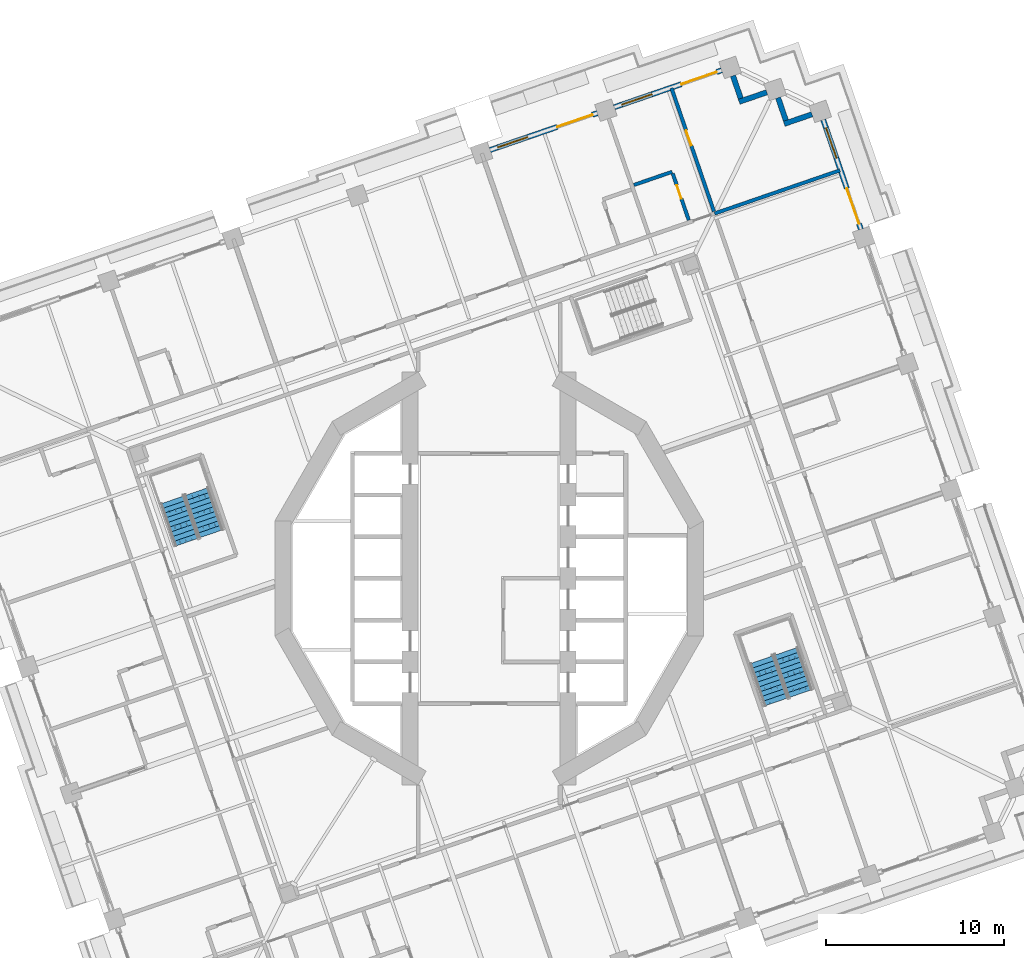
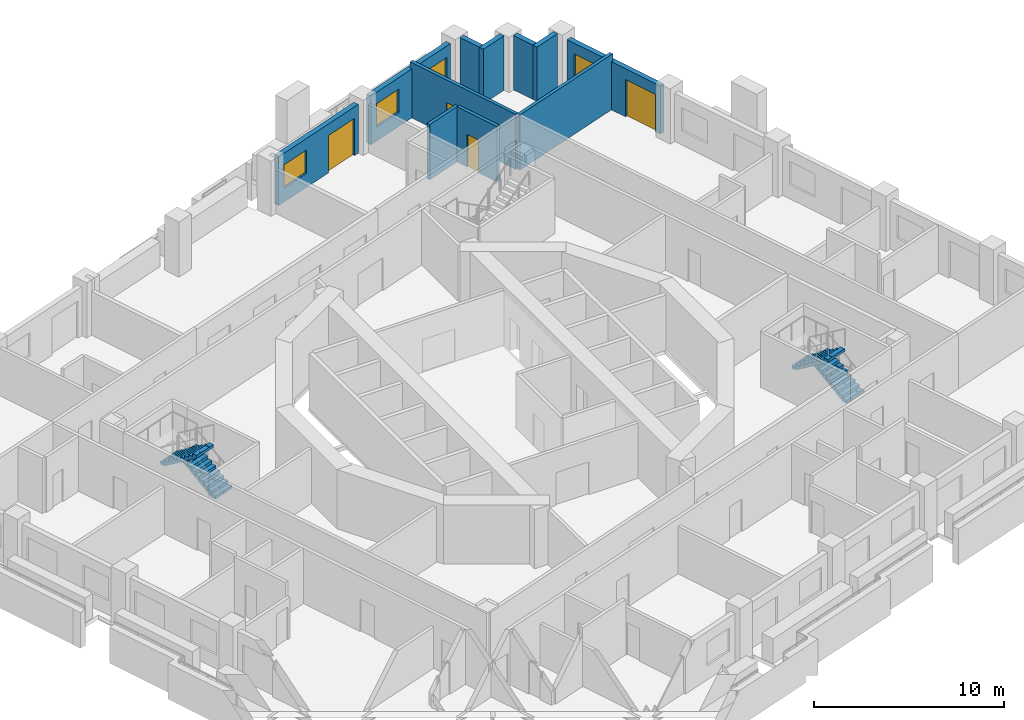
# One storey, part 10 of 18: 11 walls, 5 doors, 4 stair flights, 3 windows, 8 openings, 2 elements without a shape of their own.
"""IFC4 building model written with IfcOpenShell, lengths in metres."""

from ifc_helpers import new_model, si_unit, direction, frame, frame_2d, origin, place, context, subcontext, project, spatial, polyline, rectangle, outline, extrude, material, layer, layer_set, type_object, element, fill, aggregate, save


model = new_model("IFC4")

# Units and contexts
model_context = context("Model", 3, precision=1e-05, world=origin(), true_north=direction((0.0, 1.0)))
body_context = subcontext(model_context, "Body", "Model", "MODEL_VIEW")
ifc_project = project(units=[si_unit("LENGTHUNIT", "METRE"), si_unit("AREAUNIT", "SQUARE_METRE"), si_unit("VOLUMEUNIT", "CUBIC_METRE"), si_unit("PLANEANGLEUNIT", "RADIAN"), si_unit("MASSUNIT", "GRAM", prefix="KILO")], contexts=[model_context])

# Site, building, storey
site_placement = place(None, origin())
site = spatial("IfcSite", under=ifc_project, at=site_placement, CompositionType="ELEMENT")
building_placement = place(site_placement, origin())
building = spatial("IfcBuilding", under=site, at=building_placement, Name="Cantera Rosa Tower", CompositionType="ELEMENT")
storey_placement = place(building_placement, frame((0.0, 0.0, 134.5)))
storey = spatial("IfcBuildingStorey", under=building, at=storey_placement, Name="L28", CompositionType="ELEMENT", Elevation=134.5)

# Walls
ifc_material_1 = material(Name="Hollow clay masonry with cantera stone cladding", Category="masonry")
ifc_layer_1 = layer(ifc_material_1, 0.300048828125)
ifc_layer_set_1 = layer_set([ifc_layer_1], Name="EW-LOGGIA 300")
wall_type_1 = type_object("IfcWallType", Name="EW-LOGGIA 300", PredefinedType="SOLIDWALL", material=ifc_layer_set_1)
wall_1_placement = place(storey_placement, frame((18.17919921875, 26.142822265625, 0.0), z_axis=(0.0, 0.0, 1.0), x_axis=(-0.945530119553, -0.32553462645, 0.0)))
element("IfcWall", 1, at=wall_1_placement, inside=storey, type_object=wall_type_1, Name="EN-L28-W06a", PredefinedType="SOLIDWALL", context=body_context, shape_type="SweptSolid", body=[
    extrude(rectangle(XDim=1.64990234375, YDim=0.300048828125, at=frame_2d((0.824951171875, 0.0))), origin(), (0.0, 0.0, 1.0), 3.5),
])
wall_2_placement = place(storey_placement, frame((16.7119140625, 25.79638671875, 0.0), z_axis=(0.0, 0.0, 1.0), x_axis=(-0.325544748006, 0.945526634763, 0.0)))
element("IfcWall", 2, at=wall_2_placement, inside=storey, type_object=wall_type_1, Name="EN-L28-W06b", PredefinedType="SOLIDWALL", context=body_context, shape_type="SweptSolid", body=[
    extrude(rectangle(XDim=1.349853515625, YDim=0.300048828125, at=frame_2d((0.6748046875, 0.0))), origin(), (0.0, 0.0, 1.0), 3.5),
])
wall_3_placement = place(storey_placement, frame((15.636962890625, 27.3828125, 0.0), z_axis=(0.0, 0.0, 1.0), x_axis=(-0.945484566827, -0.325666906351, 0.0)))
element("IfcWall", 3, at=wall_3_placement, inside=storey, type_object=wall_type_1, Name="EN-L28-W07a", PredefinedType="SOLIDWALL", context=body_context, shape_type="SweptSolid", body=[
    extrude(rectangle(XDim=1.64990234375, YDim=0.300048828125, at=frame_2d((0.824951171875, 0.0))), origin(), (0.0, 0.0, 1.0), 3.5),
])
wall_4_placement = place(storey_placement, frame((14.169921875, 27.0361328125, 0.0), z_axis=(0.0, 0.0, 1.0), x_axis=(-0.325650742363, 0.945490134268, 0.0)))
element("IfcWall", 4, at=wall_4_placement, inside=storey, type_object=wall_type_1, Name="EN-L28-W07b", PredefinedType="SOLIDWALL", context=body_context, shape_type="SweptSolid", body=[
    extrude(rectangle(XDim=1.35009765625, YDim=0.300048828125, at=frame_2d((0.675048828125, 0.0))), origin(), (0.0, 0.0, 1.0), 3.5),
])

# Wall, openings, window, door
ifc_material_2 = material(Name="Hollow clay masonry with cantera stone cladding", Category="masonry")
ifc_layer_2 = layer(ifc_material_2, 0.300048828125)
ifc_layer_set_2 = layer_set([ifc_layer_2], Name="EW-LOGGIA 300 H3090")
wall_type_2 = type_object("IfcWallType", Name="EW-LOGGIA 300 H3090", PredefinedType="SOLIDWALL", material=ifc_layer_set_2)
wall_5_placement = place(storey_placement, frame((20.9375, 19.668212890625, 0.0), z_axis=(0.0, 0.0, 1.0), x_axis=(-0.325592517631, 0.945510186335, 0.0)))
wall_5 = element("IfcWall", 5, at=wall_5_placement, inside=storey, type_object=wall_type_2, Name="EN-L28-W05", PredefinedType="SOLIDWALL", context=body_context, shape_type="SweptSolid", body=[
    extrude(rectangle(XDim=6.519775390625, YDim=0.300048828125, at=frame_2d((3.259765625, 0.0))), origin(), (0.0, 0.0, 1.0), 3.090087890625),
])
opening_1_placement = place(wall_5_placement, frame((0.330078125, 0.0, 0.0)))
opening_1 = element("IfcOpeningElement", 6, at=opening_1_placement, cuts=wall_5, Name="Opening L28-TD09", PredefinedType="OPENING", context=body_context, shape_type="SweptSolid", body=[
    extrude(rectangle(XDim=2.10009765625, YDim=2.39990234375, at=frame_2d((1.050048828125, 1.199951171875))), frame((0.0, 0.159912109375, 0.0), z_axis=(0.0, -1.0, 0.0), x_axis=(1.0, 0.0, 0.0)), (0.0, 0.0, 1.0), 0.320068359375),
])
opening_2_placement = place(wall_5_placement, frame((4.239990234375, 0.0, 0.89990234375)))
opening_2 = element("IfcOpeningElement", 7, at=opening_2_placement, cuts=wall_5, Name="Opening L28-W10", PredefinedType="OPENING", context=body_context, shape_type="SweptSolid", body=[
    extrude(rectangle(XDim=1.800048828125, YDim=1.5, at=frame_2d((0.89990234375, 0.75))), frame((0.0, 0.159912109375, 0.0), z_axis=(0.0, -1.0, 0.0), x_axis=(1.0, 0.0, 0.0)), (0.0, 0.0, 1.0), 0.320068359375),
])
ifc_material_3 = material(Name="Aluminium frame with clear glass", Category="aluminium")
window_type = type_object("IfcWindowType", Name="Hotel room window 1800x1500", PartitioningType="DOUBLE_PANEL_VERTICAL", PredefinedType="WINDOW", material=ifc_material_3)
window_1_placement = place(opening_2_placement, origin())
window_1 = element("IfcWindow", 8, at=window_1_placement, inside=storey, type_object=window_type, Name="WINDOW L28-W10", OverallHeight=1.5, OverallWidth=1.800048828125, PartitioningType="SINGLE_PANEL", PredefinedType="WINDOW", context=body_context, shape_type="SweptSolid", body=[
    extrude(rectangle(XDim=1.800048828125, YDim=1.5, at=frame_2d((0.89990234375, 0.75))), frame((0.0, 0.030029296875, 0.0), z_axis=(0.0, -1.0, 0.0), x_axis=(1.0, 0.0, 0.0)), (0.0, 0.0, 1.0), 0.06005859375),
])
fill(opening_2, window_1)
ifc_material_4 = material(Name="Aluminium frame with clear glass", Category="aluminium")
door_type_1 = type_object("IfcDoorType", Name="TD-H 2100x2400", OperationType="NOTDEFINED", PredefinedType="DOOR", material=ifc_material_4)
door_1_placement = place(opening_1_placement, origin())
door_1 = element("IfcDoor", 9, at=door_1_placement, inside=storey, type_object=door_type_1, Name="LOGGIA DOOR L28-TD09", OperationType="SLIDING_TO_LEFT", OverallHeight=2.39990234375, OverallWidth=2.10009765625, PredefinedType="DOOR", context=body_context, shape_type="SweptSolid", body=[
    extrude(rectangle(XDim=2.10009765625, YDim=2.39990234375, at=frame_2d((1.050048828125, 1.199951171875))), frame((0.0, 0.02490234375, 0.0), z_axis=(0.0, -1.0, 0.0), x_axis=(1.0, 0.0, 0.0)), (0.0, 0.0, 1.0), 0.050048828125),
])
fill(opening_1, door_1)

ifc_material_5 = material(Name="Hollow clay masonry with cantera stone cladding", Category="masonry")
ifc_layer_3 = layer(ifc_material_5, 0.300048828125)
ifc_layer_set_3 = layer_set([ifc_layer_3], Name="EW-LOGGIA 300 H3140")
wall_type_3 = type_object("IfcWallType", Name="EW-LOGGIA 300 H3140", PredefinedType="SOLIDWALL", material=ifc_layer_set_3)
wall_6_placement = place(storey_placement, frame((13.0947265625, 28.62255859375, 0.0), z_axis=(0.0, 0.0, 1.0), x_axis=(-0.945524496524, -0.325550958337, 0.0)))
wall_6 = element("IfcWall", 10, at=wall_6_placement, inside=storey, type_object=wall_type_3, Name="EN-L28-W08", PredefinedType="SOLIDWALL", context=body_context, shape_type="SweptSolid", body=[
    extrude(rectangle(XDim=6.39990234375, YDim=0.300048828125, at=frame_2d((3.199951171875, 0.0))), origin(), (0.0, 0.0, 1.0), 3.139892578125),
])
opening_3_placement = place(wall_6_placement, frame((0.300048828125, 0.0, 0.0)))
opening_3 = element("IfcOpeningElement", 11, at=opening_3_placement, cuts=wall_6, Name="Opening L28-TD11", PredefinedType="OPENING", context=body_context, shape_type="SweptSolid", body=[
    extrude(rectangle(XDim=2.10009765625, YDim=2.39990234375, at=frame_2d((1.050048828125, 1.199951171875))), frame((0.0, 0.159912109375, 0.0), z_axis=(0.0, -1.0, 0.0), x_axis=(1.0, 0.0, 0.0)), (0.0, 0.0, 1.0), 0.320068359375),
])
opening_4_placement = place(wall_6_placement, frame((4.14990234375, 0.0, 0.89990234375)))
opening_4 = element("IfcOpeningElement", 12, at=opening_4_placement, cuts=wall_6, Name="Opening L28-W12", PredefinedType="OPENING", context=body_context, shape_type="SweptSolid", body=[
    extrude(rectangle(XDim=1.800048828125, YDim=1.5, at=frame_2d((0.89990234375, 0.75))), frame((0.0, 0.159912109375, 0.0), z_axis=(0.0, -1.0, 0.0), x_axis=(1.0, 0.0, 0.0)), (0.0, 0.0, 1.0), 0.320068359375),
])
window_2_placement = place(opening_4_placement, origin())
window_2 = element("IfcWindow", 13, at=window_2_placement, inside=storey, type_object=window_type, Name="WINDOW L28-W12", OverallHeight=1.5, OverallWidth=1.800048828125, PartitioningType="SINGLE_PANEL", PredefinedType="WINDOW", context=body_context, shape_type="SweptSolid", body=[
    extrude(rectangle(XDim=1.800048828125, YDim=1.5, at=frame_2d((0.89990234375, 0.75))), frame((0.0, 0.030029296875, 0.0), z_axis=(0.0, -1.0, 0.0), x_axis=(1.0, 0.0, 0.0)), (0.0, 0.0, 1.0), 0.06005859375),
])
fill(opening_4, window_2)
door_2_placement = place(opening_3_placement, origin())
door_2 = element("IfcDoor", 14, at=door_2_placement, inside=storey, type_object=door_type_1, Name="LOGGIA DOOR L28-TD11", OperationType="SLIDING_TO_LEFT", OverallHeight=2.39990234375, OverallWidth=2.10009765625, PredefinedType="DOOR", context=body_context, shape_type="SweptSolid", body=[
    extrude(rectangle(XDim=2.10009765625, YDim=2.39990234375, at=frame_2d((1.050048828125, 1.199951171875))), frame((0.0, 0.02490234375, 0.0), z_axis=(0.0, -1.0, 0.0), x_axis=(1.0, 0.0, 0.0)), (0.0, 0.0, 1.0), 0.050048828125),
])
fill(opening_3, door_2)

wall_7_placement = place(storey_placement, frame((6.097900390625, 26.21337890625, 0.0), z_axis=(0.0, 0.0, 1.0), x_axis=(-0.945524496524, -0.325550958337, 0.0)))
wall_7 = element("IfcWall", 15, at=wall_7_placement, inside=storey, type_object=wall_type_3, Name="EN-L28-W09", PredefinedType="SOLIDWALL", context=body_context, shape_type="SweptSolid", body=[
    extrude(rectangle(XDim=6.39990234375, YDim=0.300048828125, at=frame_2d((3.199951171875, 0.0))), origin(), (0.0, 0.0, 1.0), 3.139892578125),
])
opening_5_placement = place(wall_7_placement, frame((0.300048828125, 0.0, 0.0)))
opening_5 = element("IfcOpeningElement", 16, at=opening_5_placement, cuts=wall_7, Name="Opening L28-TD13", PredefinedType="OPENING", context=body_context, shape_type="SweptSolid", body=[
    extrude(rectangle(XDim=2.10009765625, YDim=2.39990234375, at=frame_2d((1.050048828125, 1.199951171875))), frame((0.0, 0.159912109375, 0.0), z_axis=(0.0, -1.0, 0.0), x_axis=(1.0, 0.0, 0.0)), (0.0, 0.0, 1.0), 0.320068359375),
])
opening_6_placement = place(wall_7_placement, frame((4.14990234375, 0.0, 0.89990234375)))
opening_6 = element("IfcOpeningElement", 17, at=opening_6_placement, cuts=wall_7, Name="Opening L28-W14", PredefinedType="OPENING", context=body_context, shape_type="SweptSolid", body=[
    extrude(rectangle(XDim=1.800048828125, YDim=1.5, at=frame_2d((0.89990234375, 0.75))), frame((0.0, 0.159912109375, 0.0), z_axis=(0.0, -1.0, 0.0), x_axis=(1.0, 0.0, 0.0)), (0.0, 0.0, 1.0), 0.320068359375),
])
window_3_placement = place(opening_6_placement, origin())
window_3 = element("IfcWindow", 18, at=window_3_placement, inside=storey, type_object=window_type, Name="WINDOW L28-W14", OverallHeight=1.5, OverallWidth=1.800048828125, PartitioningType="SINGLE_PANEL", PredefinedType="WINDOW", context=body_context, shape_type="SweptSolid", body=[
    extrude(rectangle(XDim=1.800048828125, YDim=1.5, at=frame_2d((0.89990234375, 0.75))), frame((0.0, 0.030029296875, 0.0), z_axis=(0.0, -1.0, 0.0), x_axis=(1.0, 0.0, 0.0)), (0.0, 0.0, 1.0), 0.06005859375),
])
fill(opening_6, window_3)
door_3_placement = place(opening_5_placement, origin())
door_3 = element("IfcDoor", 19, at=door_3_placement, inside=storey, type_object=door_type_1, Name="LOGGIA DOOR L28-TD13", OperationType="SLIDING_TO_LEFT", OverallHeight=2.39990234375, OverallWidth=2.10009765625, PredefinedType="DOOR", context=body_context, shape_type="SweptSolid", body=[
    extrude(rectangle(XDim=2.10009765625, YDim=2.39990234375, at=frame_2d((1.050048828125, 1.199951171875))), frame((0.0, 0.02490234375, 0.0), z_axis=(0.0, -1.0, 0.0), x_axis=(1.0, 0.0, 0.0)), (0.0, 0.0, 1.0), 0.050048828125),
])
fill(opening_5, door_3)

# Wall
ifc_material_6 = material(Name="Gypsum board partition")
ifc_layer_4 = layer(ifc_material_6, 0.199951171875)
ifc_layer_set_4 = layer_set([ifc_layer_4], Name="PARTITION 200 H3550")
wall_type_4 = type_object("IfcWallType", Name="PARTITION 200 H3550", PredefinedType="PARTITIONING", material=ifc_layer_set_4)
wall_8_placement = place(storey_placement, frame((8.149169921875, 22.160400390625, 0.0), z_axis=(0.0, 0.0, 1.0), x_axis=(0.945499219527, 0.325624363146, 0.0)))
element("IfcWall", 20, at=wall_8_placement, inside=storey, type_object=wall_type_4, Name="PARTITION L28-077", PredefinedType="PARTITIONING", context=body_context, shape_type="SweptSolid", body=[
    extrude(rectangle(XDim=2.280029296875, YDim=0.199951171875, at=frame_2d((1.14013671875, 0.0))), origin(), (0.0, 0.0, 1.0), 3.550048828125),
])

# Wall, opening, door
wall_9_placement = place(storey_placement, frame((10.337646484375, 22.80810546875, 0.0), z_axis=(0.0, 0.0, 1.0), x_axis=(0.325565713823, -0.945519415974, 0.0)))
wall_9 = element("IfcWall", 21, at=wall_9_placement, inside=storey, type_object=wall_type_4, Name="PARTITION L28-079", PredefinedType="PARTITIONING", context=body_context, shape_type="SweptSolid", body=[
    extrude(rectangle(XDim=2.77978515625, YDim=0.199951171875, at=frame_2d((1.389892578125, 0.0))), origin(), (0.0, 0.0, 1.0), 3.550048828125),
])
opening_7_placement = place(wall_9_placement, frame((0.699951171875, 0.0, 0.0)))
opening_7 = element("IfcOpeningElement", 22, at=opening_7_placement, cuts=wall_9, Name="Opening L28-027", PredefinedType="OPENING", context=body_context, shape_type="SweptSolid", body=[
    extrude(rectangle(XDim=0.800048828125, YDim=2.10009765625, at=frame_2d((0.39990234375, 1.050048828125))), frame((0.0, 0.10986328125, 0.0), z_axis=(0.0, -1.0, 0.0), x_axis=(1.0, 0.0, 0.0)), (0.0, 0.0, 1.0), 0.219970703125),
])
ifc_material_7 = material(Name="Timber door leaf", Category="wood")
door_type_2 = type_object("IfcDoorType", Name="BATHROOM DOOR 800x2100", OperationType="NOTDEFINED", PredefinedType="DOOR", material=ifc_material_7)
door_4_placement = place(opening_7_placement, origin())
door_4 = element("IfcDoor", 23, at=door_4_placement, inside=storey, type_object=door_type_2, Name="DOOR L28-027", OperationType="NOTDEFINED", OverallHeight=2.10009765625, OverallWidth=0.800048828125, PredefinedType="DOOR", context=body_context, shape_type="SweptSolid", body=[
    extrude(rectangle(XDim=0.800048828125, YDim=2.10009765625, at=frame_2d((0.39990234375, 1.050048828125))), frame((0.0, 0.02490234375, 0.0), z_axis=(0.0, -1.0, 0.0), x_axis=(1.0, 0.0, 0.0)), (0.0, 0.0, 1.0), 0.050048828125),
])
fill(opening_7, door_4)

wall_10_placement = place(storey_placement, frame((12.660888671875, 20.66796875, 0.0), z_axis=(0.0, 0.0, 1.0), x_axis=(-0.325549451152, 0.945525015457, 0.0)))
wall_10 = element("IfcWall", 24, at=wall_10_placement, inside=storey, type_object=wall_type_4, Name="PARTITION L28-090", PredefinedType="PARTITIONING", context=body_context, shape_type="SweptSolid", body=[
    extrude(rectangle(XDim=7.35009765625, YDim=0.199951171875, at=frame_2d((3.675048828125, 0.0))), origin(), (0.0, 0.0, 1.0), 3.550048828125),
])
opening_8_placement = place(wall_10_placement, frame((3.929931640625, 0.0, 0.0)))
opening_8 = element("IfcOpeningElement", 25, at=opening_8_placement, cuts=wall_10, Name="Opening L28-028", PredefinedType="OPENING", context=body_context, shape_type="SweptSolid", body=[
    extrude(rectangle(XDim=0.89990234375, YDim=2.10009765625, at=frame_2d((0.449951171875, 1.050048828125))), frame((0.0, 0.10986328125, 0.0), z_axis=(0.0, -1.0, 0.0), x_axis=(1.0, 0.0, 0.0)), (0.0, 0.0, 1.0), 0.219970703125),
])
ifc_material_8 = material(Name="Timber door leaf", Category="wood")
door_type_3 = type_object("IfcDoorType", Name="ROOM DOOR 900x2100", OperationType="NOTDEFINED", PredefinedType="DOOR", material=ifc_material_8)
door_5_placement = place(opening_8_placement, origin())
door_5 = element("IfcDoor", 26, at=door_5_placement, inside=storey, type_object=door_type_3, Name="DOOR L28-028", OperationType="NOTDEFINED", OverallHeight=2.10009765625, OverallWidth=0.89990234375, PredefinedType="DOOR", context=body_context, shape_type="SweptSolid", body=[
    extrude(rectangle(XDim=0.89990234375, YDim=2.10009765625, at=frame_2d((0.449951171875, 1.050048828125))), frame((0.0, 0.02490234375, 0.0), z_axis=(0.0, -1.0, 0.0), x_axis=(1.0, 0.0, 0.0)), (0.0, 0.0, 1.0), 0.050048828125),
])
fill(opening_8, door_5)

# Wall
ifc_material_9 = material(Name="Gypsum board partition")
ifc_layer_5 = layer(ifc_material_9, 0.199951171875)
ifc_layer_set_5 = layer_set([ifc_layer_5], Name="PARTY WALL 200 H3550")
wall_type_5 = type_object("IfcWallType", Name="PARTY WALL 200 H3550", PredefinedType="PARTITIONING", material=ifc_layer_set_5)
wall_11_placement = place(storey_placement, frame((12.699951171875, 20.5546875, 0.0), z_axis=(0.0, 0.0, 1.0), x_axis=(0.945522578269, 0.325556529628, 0.0)))
element("IfcWall", 27, at=wall_11_placement, inside=storey, type_object=wall_type_5, Name="PARTY WALL L28-091", PredefinedType="PARTITIONING", context=body_context, shape_type="SweptSolid", body=[
    extrude(rectangle(XDim=7.469970703125, YDim=0.199951171875, at=frame_2d((3.73486328125, 0.0))), origin(), (0.0, 0.0, 1.0), 3.550048828125),
])

# Stair, stair flights
ifc_material_10 = material(Name="Concrete C35/45", Category="concrete")
stair_type = type_object("IfcStairType", Name="EXIT STAIR 1350 DOGLEG", PredefinedType="HALF_TURN_STAIR", material=ifc_material_10)
stair_1_placement = place(storey_placement, origin())
stair_1 = element("IfcStair", 28, at=stair_1_placement, inside=storey, type_object=stair_type, Name="L28 ST-22", PredefinedType="HALF_TURN_STAIR")
ifc_material_11 = material(Name="Concrete C35/45", Category="concrete")
stair_flight_type = type_object("IfcStairFlightType", Name="STAIR FLIGHT 1350 R20x190", PredefinedType="STRAIGHT", material=ifc_material_11)
stair_flight_1_placement = place(storey_placement, frame((-15.635009765625, 2.5205078125, 0.0), z_axis=(0.0, 0.0, 1.0), x_axis=(-0.325568154457, 0.945518575599, 0.0)))
stair_flight_1 = element("IfcStairFlight", 29, at=stair_flight_1_placement, type_object=stair_flight_type, Name="ST-22 flight 1", NumberOfRisers=10, NumberOfTreads=9, PredefinedType="STRAIGHT", RiserHeight=0.19, TreadLength=0.28, context=body_context, shape_type="SweptSolid", body=[
    extrude(outline(polyline([(0.0, 0.0), (0.0, 0.18994140625), (0.280029296875, 0.18994140625), (0.280029296875, 0.3798828125), (0.56005859375, 0.3798828125), (0.56005859375, 0.570068359375), (0.840087890625, 0.570068359375), (0.840087890625, 0.760009765625), (1.1201171875, 0.760009765625), (1.1201171875, 0.949951171875), (1.39990234375, 0.949951171875), (1.39990234375, 1.139892578125), (1.679931640625, 1.139892578125), (1.679931640625, 1.330078125), (1.9599609375, 1.330078125), (1.9599609375, 1.52001953125), (2.239990234375, 1.52001953125), (2.239990234375, 1.7099609375), (2.52001953125, 1.7099609375), (2.52001953125, 1.89990234375), (2.52001953125, 1.52880859375), (0.266845703125, 0.0), (0.0, 0.0)])), frame((0.0, 0.675048828125, 0.0), z_axis=(0.0, -1.0, 0.0), x_axis=(1.0, 0.0, 0.0)), (0.0, 0.0, 1.0), 0.3359375),
    extrude(outline(polyline([(0.0, 0.0), (0.0, 0.18994140625), (0.280029296875, 0.18994140625), (0.280029296875, 0.3798828125), (0.56005859375, 0.3798828125), (0.56005859375, 0.570068359375), (0.840087890625, 0.570068359375), (0.840087890625, 0.760009765625), (1.1201171875, 0.760009765625), (1.1201171875, 0.949951171875), (1.39990234375, 0.949951171875), (1.39990234375, 1.139892578125), (1.679931640625, 1.139892578125), (1.679931640625, 1.330078125), (1.9599609375, 1.330078125), (1.9599609375, 1.52001953125), (2.239990234375, 1.52001953125), (2.239990234375, 1.7099609375), (2.52001953125, 1.7099609375), (2.52001953125, 1.89990234375), (2.52001953125, 1.52880859375), (0.266845703125, 0.0), (0.0, 0.0)])), frame((0.0, 0.337158203125, 0.0), z_axis=(0.0, -1.0, 0.0), x_axis=(1.0, 0.0, 0.0)), (0.0, 0.0, 1.0), 0.3359375),
    extrude(outline(polyline([(0.0, 0.0), (0.0, 0.18994140625), (0.280029296875, 0.18994140625), (0.280029296875, 0.3798828125), (0.56005859375, 0.3798828125), (0.56005859375, 0.570068359375), (0.840087890625, 0.570068359375), (0.840087890625, 0.760009765625), (1.1201171875, 0.760009765625), (1.1201171875, 0.949951171875), (1.39990234375, 0.949951171875), (1.39990234375, 1.139892578125), (1.679931640625, 1.139892578125), (1.679931640625, 1.330078125), (1.9599609375, 1.330078125), (1.9599609375, 1.52001953125), (2.239990234375, 1.52001953125), (2.239990234375, 1.7099609375), (2.52001953125, 1.7099609375), (2.52001953125, 1.89990234375), (2.52001953125, 1.52880859375), (0.266845703125, 0.0), (0.0, 0.0)])), frame((0.0, -0.000732421875, 0.0), z_axis=(0.0, -1.0, 0.0), x_axis=(1.0, 0.0, 0.0)), (0.0, 0.0, 1.0), 0.3359375),
    extrude(outline(polyline([(0.0, 0.0), (0.0, 0.18994140625), (0.280029296875, 0.18994140625), (0.280029296875, 0.3798828125), (0.56005859375, 0.3798828125), (0.56005859375, 0.570068359375), (0.840087890625, 0.570068359375), (0.840087890625, 0.760009765625), (1.1201171875, 0.760009765625), (1.1201171875, 0.949951171875), (1.39990234375, 0.949951171875), (1.39990234375, 1.139892578125), (1.679931640625, 1.139892578125), (1.679931640625, 1.330078125), (1.9599609375, 1.330078125), (1.9599609375, 1.52001953125), (2.239990234375, 1.52001953125), (2.239990234375, 1.7099609375), (2.52001953125, 1.7099609375), (2.52001953125, 1.89990234375), (2.52001953125, 1.52880859375), (0.266845703125, 0.0), (0.0, 0.0)])), frame((0.0, -0.338623046875, 0.0), z_axis=(0.0, -1.0, 0.0), x_axis=(1.0, 0.0, 0.0)), (0.0, 0.0, 1.0), 0.3359375),
])
stair_flight_2_placement = place(storey_placement, frame((-17.873779296875, 4.414794921875, 1.89990234375), z_axis=(0.0, 0.0, 1.0), x_axis=(0.325568154457, -0.945518575599, 0.0)))
stair_flight_2 = element("IfcStairFlight", 30, at=stair_flight_2_placement, type_object=stair_flight_type, Name="ST-22 flight 2", NumberOfRisers=10, NumberOfTreads=9, PredefinedType="STRAIGHT", RiserHeight=0.19, TreadLength=0.28, context=body_context, shape_type="SweptSolid", body=[
    extrude(outline(polyline([(0.0, 0.0), (0.0, 0.18994140625), (0.280029296875, 0.18994140625), (0.280029296875, 0.3798828125), (0.56005859375, 0.3798828125), (0.56005859375, 0.570068359375), (0.840087890625, 0.570068359375), (0.840087890625, 0.760009765625), (1.1201171875, 0.760009765625), (1.1201171875, 0.949951171875), (1.39990234375, 0.949951171875), (1.39990234375, 1.139892578125), (1.679931640625, 1.139892578125), (1.679931640625, 1.330078125), (1.9599609375, 1.330078125), (1.9599609375, 1.52001953125), (2.239990234375, 1.52001953125), (2.239990234375, 1.7099609375), (2.52001953125, 1.7099609375), (2.52001953125, 1.89990234375), (2.52001953125, 1.52880859375), (0.266845703125, 0.0), (0.0, 0.0)])), frame((0.0, 0.675048828125, 0.0), z_axis=(0.0, -1.0, 0.0), x_axis=(1.0, 0.0, 0.0)), (0.0, 0.0, 1.0), 0.3359375),
    extrude(outline(polyline([(0.0, 0.0), (0.0, 0.18994140625), (0.280029296875, 0.18994140625), (0.280029296875, 0.3798828125), (0.56005859375, 0.3798828125), (0.56005859375, 0.570068359375), (0.840087890625, 0.570068359375), (0.840087890625, 0.760009765625), (1.1201171875, 0.760009765625), (1.1201171875, 0.949951171875), (1.39990234375, 0.949951171875), (1.39990234375, 1.139892578125), (1.679931640625, 1.139892578125), (1.679931640625, 1.330078125), (1.9599609375, 1.330078125), (1.9599609375, 1.52001953125), (2.239990234375, 1.52001953125), (2.239990234375, 1.7099609375), (2.52001953125, 1.7099609375), (2.52001953125, 1.89990234375), (2.52001953125, 1.52880859375), (0.266845703125, 0.0), (0.0, 0.0)])), frame((0.0, 0.337158203125, 0.0), z_axis=(0.0, -1.0, 0.0), x_axis=(1.0, 0.0, 0.0)), (0.0, 0.0, 1.0), 0.3359375),
    extrude(outline(polyline([(0.0, 0.0), (0.0, 0.18994140625), (0.280029296875, 0.18994140625), (0.280029296875, 0.3798828125), (0.56005859375, 0.3798828125), (0.56005859375, 0.570068359375), (0.840087890625, 0.570068359375), (0.840087890625, 0.760009765625), (1.1201171875, 0.760009765625), (1.1201171875, 0.949951171875), (1.39990234375, 0.949951171875), (1.39990234375, 1.139892578125), (1.679931640625, 1.139892578125), (1.679931640625, 1.330078125), (1.9599609375, 1.330078125), (1.9599609375, 1.52001953125), (2.239990234375, 1.52001953125), (2.239990234375, 1.7099609375), (2.52001953125, 1.7099609375), (2.52001953125, 1.89990234375), (2.52001953125, 1.52880859375), (0.266845703125, 0.0), (0.0, 0.0)])), frame((0.0, -0.000732421875, 0.0), z_axis=(0.0, -1.0, 0.0), x_axis=(1.0, 0.0, 0.0)), (0.0, 0.0, 1.0), 0.3359375),
    extrude(outline(polyline([(0.0, 0.0), (0.0, 0.18994140625), (0.280029296875, 0.18994140625), (0.280029296875, 0.3798828125), (0.56005859375, 0.3798828125), (0.56005859375, 0.570068359375), (0.840087890625, 0.570068359375), (0.840087890625, 0.760009765625), (1.1201171875, 0.760009765625), (1.1201171875, 0.949951171875), (1.39990234375, 0.949951171875), (1.39990234375, 1.139892578125), (1.679931640625, 1.139892578125), (1.679931640625, 1.330078125), (1.9599609375, 1.330078125), (1.9599609375, 1.52001953125), (2.239990234375, 1.52001953125), (2.239990234375, 1.7099609375), (2.52001953125, 1.7099609375), (2.52001953125, 1.89990234375), (2.52001953125, 1.52880859375), (0.266845703125, 0.0), (0.0, 0.0)])), frame((0.0, -0.338623046875, 0.0), z_axis=(0.0, -1.0, 0.0), x_axis=(1.0, 0.0, 0.0)), (0.0, 0.0, 1.0), 0.3359375),
])
aggregate(stair_1, [stair_flight_1, stair_flight_2])

stair_2_placement = place(storey_placement, origin())
stair_2 = element("IfcStair", 31, at=stair_2_placement, inside=storey, type_object=stair_type, Name="L28 ST-23", PredefinedType="HALF_TURN_STAIR")
stair_flight_3_placement = place(storey_placement, frame((17.56494140625, -6.4794921875, 0.0), z_axis=(0.0, 0.0, 1.0), x_axis=(-0.325568154457, 0.945518575599, 0.0)))
stair_flight_3 = element("IfcStairFlight", 32, at=stair_flight_3_placement, type_object=stair_flight_type, Name="ST-23 flight 1", NumberOfRisers=10, NumberOfTreads=9, PredefinedType="STRAIGHT", RiserHeight=0.19, TreadLength=0.28, context=body_context, shape_type="SweptSolid", body=[
    extrude(outline(polyline([(0.0, 0.0), (0.0, 0.18994140625), (0.280029296875, 0.18994140625), (0.280029296875, 0.3798828125), (0.56005859375, 0.3798828125), (0.56005859375, 0.570068359375), (0.840087890625, 0.570068359375), (0.840087890625, 0.760009765625), (1.1201171875, 0.760009765625), (1.1201171875, 0.949951171875), (1.39990234375, 0.949951171875), (1.39990234375, 1.139892578125), (1.679931640625, 1.139892578125), (1.679931640625, 1.330078125), (1.9599609375, 1.330078125), (1.9599609375, 1.52001953125), (2.239990234375, 1.52001953125), (2.239990234375, 1.7099609375), (2.52001953125, 1.7099609375), (2.52001953125, 1.89990234375), (2.52001953125, 1.52880859375), (0.266845703125, 0.0), (0.0, 0.0)])), frame((0.0, 0.675048828125, 0.0), z_axis=(0.0, -1.0, 0.0), x_axis=(1.0, 0.0, 0.0)), (0.0, 0.0, 1.0), 0.3359375),
    extrude(outline(polyline([(0.0, 0.0), (0.0, 0.18994140625), (0.280029296875, 0.18994140625), (0.280029296875, 0.3798828125), (0.56005859375, 0.3798828125), (0.56005859375, 0.570068359375), (0.840087890625, 0.570068359375), (0.840087890625, 0.760009765625), (1.1201171875, 0.760009765625), (1.1201171875, 0.949951171875), (1.39990234375, 0.949951171875), (1.39990234375, 1.139892578125), (1.679931640625, 1.139892578125), (1.679931640625, 1.330078125), (1.9599609375, 1.330078125), (1.9599609375, 1.52001953125), (2.239990234375, 1.52001953125), (2.239990234375, 1.7099609375), (2.52001953125, 1.7099609375), (2.52001953125, 1.89990234375), (2.52001953125, 1.52880859375), (0.266845703125, 0.0), (0.0, 0.0)])), frame((0.0, 0.337158203125, 0.0), z_axis=(0.0, -1.0, 0.0), x_axis=(1.0, 0.0, 0.0)), (0.0, 0.0, 1.0), 0.3359375),
    extrude(outline(polyline([(0.0, 0.0), (0.0, 0.18994140625), (0.280029296875, 0.18994140625), (0.280029296875, 0.3798828125), (0.56005859375, 0.3798828125), (0.56005859375, 0.570068359375), (0.840087890625, 0.570068359375), (0.840087890625, 0.760009765625), (1.1201171875, 0.760009765625), (1.1201171875, 0.949951171875), (1.39990234375, 0.949951171875), (1.39990234375, 1.139892578125), (1.679931640625, 1.139892578125), (1.679931640625, 1.330078125), (1.9599609375, 1.330078125), (1.9599609375, 1.52001953125), (2.239990234375, 1.52001953125), (2.239990234375, 1.7099609375), (2.52001953125, 1.7099609375), (2.52001953125, 1.89990234375), (2.52001953125, 1.52880859375), (0.266845703125, 0.0), (0.0, 0.0)])), frame((0.0, -0.000732421875, 0.0), z_axis=(0.0, -1.0, 0.0), x_axis=(1.0, 0.0, 0.0)), (0.0, 0.0, 1.0), 0.3359375),
    extrude(outline(polyline([(0.0, 0.0), (0.0, 0.18994140625), (0.280029296875, 0.18994140625), (0.280029296875, 0.3798828125), (0.56005859375, 0.3798828125), (0.56005859375, 0.570068359375), (0.840087890625, 0.570068359375), (0.840087890625, 0.760009765625), (1.1201171875, 0.760009765625), (1.1201171875, 0.949951171875), (1.39990234375, 0.949951171875), (1.39990234375, 1.139892578125), (1.679931640625, 1.139892578125), (1.679931640625, 1.330078125), (1.9599609375, 1.330078125), (1.9599609375, 1.52001953125), (2.239990234375, 1.52001953125), (2.239990234375, 1.7099609375), (2.52001953125, 1.7099609375), (2.52001953125, 1.89990234375), (2.52001953125, 1.52880859375), (0.266845703125, 0.0), (0.0, 0.0)])), frame((0.0, -0.338623046875, 0.0), z_axis=(0.0, -1.0, 0.0), x_axis=(1.0, 0.0, 0.0)), (0.0, 0.0, 1.0), 0.3359375),
])
stair_flight_4_placement = place(storey_placement, frame((15.326171875, -4.585205078125, 1.89990234375), z_axis=(0.0, 0.0, 1.0), x_axis=(0.325568154457, -0.945518575599, 0.0)))
stair_flight_4 = element("IfcStairFlight", 33, at=stair_flight_4_placement, type_object=stair_flight_type, Name="ST-23 flight 2", NumberOfRisers=10, NumberOfTreads=9, PredefinedType="STRAIGHT", RiserHeight=0.19, TreadLength=0.28, context=body_context, shape_type="SweptSolid", body=[
    extrude(outline(polyline([(0.0, 0.0), (0.0, 0.18994140625), (0.280029296875, 0.18994140625), (0.280029296875, 0.3798828125), (0.56005859375, 0.3798828125), (0.56005859375, 0.570068359375), (0.840087890625, 0.570068359375), (0.840087890625, 0.760009765625), (1.1201171875, 0.760009765625), (1.1201171875, 0.949951171875), (1.39990234375, 0.949951171875), (1.39990234375, 1.139892578125), (1.679931640625, 1.139892578125), (1.679931640625, 1.330078125), (1.9599609375, 1.330078125), (1.9599609375, 1.52001953125), (2.239990234375, 1.52001953125), (2.239990234375, 1.7099609375), (2.52001953125, 1.7099609375), (2.52001953125, 1.89990234375), (2.52001953125, 1.52880859375), (0.266845703125, 0.0), (0.0, 0.0)])), frame((0.0, 0.675048828125, 0.0), z_axis=(0.0, -1.0, 0.0), x_axis=(1.0, 0.0, 0.0)), (0.0, 0.0, 1.0), 0.3359375),
    extrude(outline(polyline([(0.0, 0.0), (0.0, 0.18994140625), (0.280029296875, 0.18994140625), (0.280029296875, 0.3798828125), (0.56005859375, 0.3798828125), (0.56005859375, 0.570068359375), (0.840087890625, 0.570068359375), (0.840087890625, 0.760009765625), (1.1201171875, 0.760009765625), (1.1201171875, 0.949951171875), (1.39990234375, 0.949951171875), (1.39990234375, 1.139892578125), (1.679931640625, 1.139892578125), (1.679931640625, 1.330078125), (1.9599609375, 1.330078125), (1.9599609375, 1.52001953125), (2.239990234375, 1.52001953125), (2.239990234375, 1.7099609375), (2.52001953125, 1.7099609375), (2.52001953125, 1.89990234375), (2.52001953125, 1.52880859375), (0.266845703125, 0.0), (0.0, 0.0)])), frame((0.0, 0.337158203125, 0.0), z_axis=(0.0, -1.0, 0.0), x_axis=(1.0, 0.0, 0.0)), (0.0, 0.0, 1.0), 0.3359375),
    extrude(outline(polyline([(0.0, 0.0), (0.0, 0.18994140625), (0.280029296875, 0.18994140625), (0.280029296875, 0.3798828125), (0.56005859375, 0.3798828125), (0.56005859375, 0.570068359375), (0.840087890625, 0.570068359375), (0.840087890625, 0.760009765625), (1.1201171875, 0.760009765625), (1.1201171875, 0.949951171875), (1.39990234375, 0.949951171875), (1.39990234375, 1.139892578125), (1.679931640625, 1.139892578125), (1.679931640625, 1.330078125), (1.9599609375, 1.330078125), (1.9599609375, 1.52001953125), (2.239990234375, 1.52001953125), (2.239990234375, 1.7099609375), (2.52001953125, 1.7099609375), (2.52001953125, 1.89990234375), (2.52001953125, 1.52880859375), (0.266845703125, 0.0), (0.0, 0.0)])), frame((0.0, -0.000732421875, 0.0), z_axis=(0.0, -1.0, 0.0), x_axis=(1.0, 0.0, 0.0)), (0.0, 0.0, 1.0), 0.3359375),
    extrude(outline(polyline([(0.0, 0.0), (0.0, 0.18994140625), (0.280029296875, 0.18994140625), (0.280029296875, 0.3798828125), (0.56005859375, 0.3798828125), (0.56005859375, 0.570068359375), (0.840087890625, 0.570068359375), (0.840087890625, 0.760009765625), (1.1201171875, 0.760009765625), (1.1201171875, 0.949951171875), (1.39990234375, 0.949951171875), (1.39990234375, 1.139892578125), (1.679931640625, 1.139892578125), (1.679931640625, 1.330078125), (1.9599609375, 1.330078125), (1.9599609375, 1.52001953125), (2.239990234375, 1.52001953125), (2.239990234375, 1.7099609375), (2.52001953125, 1.7099609375), (2.52001953125, 1.89990234375), (2.52001953125, 1.52880859375), (0.266845703125, 0.0), (0.0, 0.0)])), frame((0.0, -0.338623046875, 0.0), z_axis=(0.0, -1.0, 0.0), x_axis=(1.0, 0.0, 0.0)), (0.0, 0.0, 1.0), 0.3359375),
])
aggregate(stair_2, [stair_flight_3, stair_flight_4])

save(model, "model.ifc")
